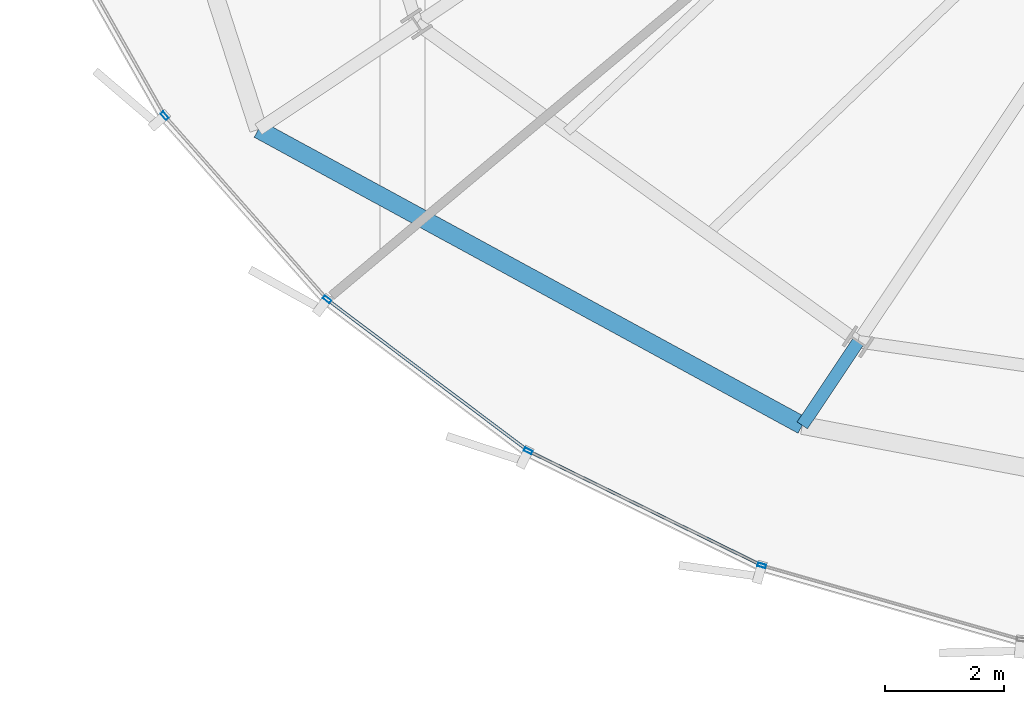
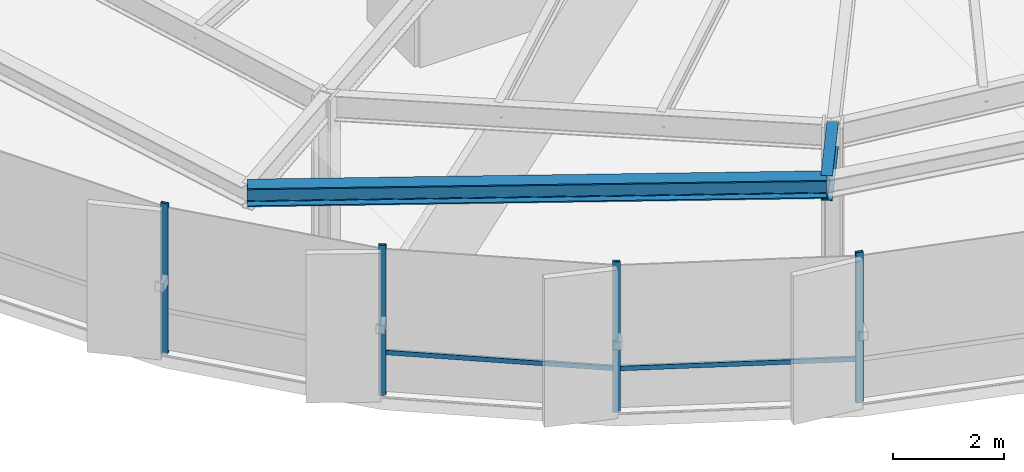
# One storey, part 2 of 34: 6 members, 2 beams, 1 element without a shape of its own.
"""IFC4 building model written with IfcOpenShell, lengths in metres."""

from ifc_helpers import new_model, si_unit, direction, frame, origin, origin_2d, place, context, subcontext, project, spatial, hollow_rectangle, i_section, extrude, source, transform, mapped, material, layer, layer_set, material_profile, profile_set, type_object, element, aggregate, save


model = new_model("IFC4")

# Units and contexts
model_context = context("Model", 3, precision=1e-05, world=origin(), true_north=direction((0.0, 1.0)))
body_context = subcontext(model_context, "Body", "Model", "MODEL_VIEW")
ifc_project = project(units=[si_unit("LENGTHUNIT", "METRE"), si_unit("AREAUNIT", "SQUARE_METRE"), si_unit("VOLUMEUNIT", "CUBIC_METRE"), si_unit("PLANEANGLEUNIT", "RADIAN"), si_unit("MASSUNIT", "GRAM", prefix="KILO"), si_unit("THERMODYNAMICTEMPERATUREUNIT", "KELVIN")], contexts=[model_context])

# Site, building, storey
site_placement = place(None, origin())
site = spatial("IfcSite", under=ifc_project, at=site_placement, CompositionType="ELEMENT")
building_placement = place(site_placement, origin())
building = spatial("IfcBuilding", under=site, at=building_placement, Name="Kethvar Cultural Tower", CompositionType="ELEMENT")
storey_placement = place(building_placement, frame((0.0, 0.0, 128.800048828125)))
storey = spatial("IfcBuildingStorey", under=building, at=storey_placement, Name="L32", CompositionType="ELEMENT", Elevation=128.800048828125)

# Beams
ifc_material_1 = material(Name="Steel S355J2", Category="steel")
ifc_material_profile_1 = material_profile(ifc_material_1, i_section(OverallWidth=0.2099609375, OverallDepth=0.550048828125, WebThickness=0.010986328125, FlangeThickness=0.01708984375, FilletRadius=0.02392578125, at=origin_2d()), Name="Steel S355J2 — IPE550")
ifc_profile_set_1 = profile_set([ifc_material_profile_1], Name="Steel S355J2 — IPE550")
beam_type_1 = type_object("IfcBeamType", Name="BM-IPE550", PredefinedType="BEAM", material=ifc_profile_set_1)
shared_shape_1 = source(origin(), body_context, "Body", "SweptSolid", [
    extrude(i_section(OverallWidth=0.2099609375, OverallDepth=0.550048828125, WebThickness=0.010986328125, FlangeThickness=0.01708984375, FilletRadius=0.02392578125, at=origin_2d()), origin(), (0.0, 0.0, 1.0), 1.694091796875),
])
beam_1_placement = place(storey_placement, frame((34.350830078125, 9.16845703125, 3.02294921875), z_axis=(-0.55553130409, -0.831495622464, 0.0), x_axis=(0.831495622464, -0.55553130409, 0.0)))
element("IfcBeam", 1, at=beam_1_placement, inside=storey, type_object=beam_type_1, Name="L32 Perimeter Cantilever Beam RC-11", PredefinedType="BEAM", context=body_context, shape_type="MappedRepresentation", body=[
    mapped(shared_shape_1, transform((0.0, 0.0, 0.0), scale=1.0)),
])
ifc_material_profile_2 = material_profile(ifc_material_1, i_section(OverallWidth=0.300048828125, OverallDepth=0.39990234375, WebThickness=0.013427734375, FlangeThickness=0.02392578125, FilletRadius=0.027099609375, at=origin_2d()), Name="Steel S355J2 — HEB400")
ifc_profile_set_2 = profile_set([ifc_material_profile_2], Name="Steel S355J2 — HEB400")
beam_type_2 = type_object("IfcBeamType", Name="BM-SP400", PredefinedType="SPANDREL", material=ifc_profile_set_2)
shared_shape_2 = source(origin(), body_context, "Body", "SweptSolid", [
    extrude(i_section(OverallWidth=0.300048828125, OverallDepth=0.39990234375, WebThickness=0.013427734375, FlangeThickness=0.02392578125, FilletRadius=0.027099609375, at=origin_2d()), origin(), (0.0, 0.0, 1.0), 10.4169921875),
])
beam_2_placement = place(storey_placement, frame((24.260009765625, 12.7392578125, 3.097900390625), z_axis=(0.878348394535, -0.478021022359, 0.0), x_axis=(0.478021022359, 0.878348394535, 0.0)))
element("IfcBeam", 2, at=beam_2_placement, inside=storey, type_object=beam_type_2, Name="L32 Perimeter Spandrel Beam SP-10", PredefinedType="SPANDREL", context=body_context, shape_type="MappedRepresentation", body=[
    mapped(shared_shape_2, transform((0.0, 0.0, 0.0), scale=1.0)),
])

# Curtain wall, members
ifc_material_2 = material(Name="Aluminium 6063-T6", Category="aluminium")
ifc_layer = layer(ifc_material_2, 0.179931640625, Name="Aluminium 6063-T6", Category="aluminium")
ifc_layer_set = layer_set([ifc_layer], Name="Aluminium 6063-T6 (180 mm)")
curtain_wall_type = type_object("IfcCurtainWallType", Name="CW-SYS-04-Z34", PredefinedType="NOTDEFINED", material=ifc_layer_set)
curtain_wall_placement = place(storey_placement, origin())
curtain_wall = element("IfcCurtainWall", 3, at=curtain_wall_placement, inside=storey, type_object=curtain_wall_type, Name="L32 Curtain Wall Run 04", PredefinedType="NOTDEFINED")
ifc_material_profile_3 = material_profile(ifc_material_2, hollow_rectangle(XDim=0.06005859375, YDim=0.139892578125, WallThickness=0.0048828125, at=origin_2d()), Name="Aluminium 6063-T6 — RHS140x60x5")
ifc_profile_set_3 = profile_set([ifc_material_profile_3], Name="Aluminium 6063-T6 — RHS140x60x5")
member_type_1 = type_object("IfcMemberType", Name="CW-SYS-04-Z34-MUL", PredefinedType="MULLION", material=ifc_profile_set_3)
shared_shape_3 = source(origin(), body_context, "Body", "SweptSolid", [
    extrude(hollow_rectangle(XDim=0.06005859375, YDim=0.139892578125, WallThickness=0.0048828125, at=origin_2d()), origin(), (0.0, 0.0, 1.0), 3.300048828125),
])
member_1_placement = place(storey_placement, frame((22.6826171875, 12.970458984375, 0.0), z_axis=(0.0, 0.0, 1.0), x_axis=(0.748955720789, 0.662620048216, 0.0)))
member_1 = element("IfcMember", 4, at=member_1_placement, type_object=member_type_1, Name="CW-L32-R04 Mullion 2", PredefinedType="MULLION", context=body_context, shape_type="MappedRepresentation", body=[
    mapped(shared_shape_3, transform((0.0, 0.0, 0.0), scale=1.0)),
])
member_2_placement = place(storey_placement, frame((25.41455078125, 9.879150390625, 0.0), z_axis=(0.0, 0.0, 1.0), x_axis=(0.6013688871, 0.798971502388, 0.0)))
member_2 = element("IfcMember", 5, at=member_2_placement, type_object=member_type_1, Name="CW-L32-R04 Mullion 3", PredefinedType="MULLION", context=body_context, shape_type="MappedRepresentation", body=[
    mapped(shared_shape_3, transform((0.0, 0.0, 0.0), scale=1.0)),
])
member_3_placement = place(storey_placement, frame((28.796875, 7.330810546875, 0.0), z_axis=(0.0, 0.0, 1.0), x_axis=(0.439907822512, 0.898042931988, 0.0)))
member_3 = element("IfcMember", 6, at=member_3_placement, type_object=member_type_1, Name="CW-L32-R04 Mullion 4", PredefinedType="MULLION", context=body_context, shape_type="MappedRepresentation", body=[
    mapped(shared_shape_3, transform((0.0, 0.0, 0.0), scale=1.0)),
])
member_4_placement = place(storey_placement, frame((32.727294921875, 5.40380859375, 0.0), z_axis=(0.0, 0.0, 1.0), x_axis=(0.274680920226, 0.961535434638, 0.0)))
member_4 = element("IfcMember", 7, at=member_4_placement, type_object=member_type_1, Name="CW-L32-R04 Mullion 5", PredefinedType="MULLION", context=body_context, shape_type="MappedRepresentation", body=[
    mapped(shared_shape_3, transform((0.0, 0.0, 0.0), scale=1.0)),
])
ifc_material_profile_4 = material_profile(ifc_material_2, hollow_rectangle(XDim=0.050048828125, YDim=0.10009765625, WallThickness=0.00390625, at=origin_2d()), Name="Aluminium 6063-T6 — RHS100x50x4")
ifc_profile_set_4 = profile_set([ifc_material_profile_4], Name="Aluminium 6063-T6 — RHS100x50x4")
member_type_2 = type_object("IfcMemberType", Name="CW-SYS-04-Z34-TRN", PredefinedType="USERDEFINED", material=ifc_profile_set_4)
shared_shape_4 = source(origin(), body_context, "Body", "SweptSolid", [
    extrude(hollow_rectangle(XDim=0.050048828125, YDim=0.10009765625, WallThickness=0.00390625, at=origin_2d()), origin(), (0.0, 0.0, 1.0), 4.1689453125),
])
member_5_placement = place(storey_placement, frame((25.44921875, 9.853271484375, 0.949951171875), z_axis=(0.79893763701, -0.6014138776, 0.0), x_axis=(0.6014138776, 0.79893763701, 0.0)))
member_5 = element("IfcMember", 8, at=member_5_placement, type_object=member_type_2, Name="CW-L32-R04 Transom 3", ObjectType="TRANSOM", PredefinedType="USERDEFINED", context=body_context, shape_type="MappedRepresentation", body=[
    mapped(shared_shape_4, transform((0.0, 0.0, 0.0), scale=1.0)),
])
shared_shape_5 = source(origin(), body_context, "Body", "SweptSolid", [
    extrude(hollow_rectangle(XDim=0.050048828125, YDim=0.10009765625, WallThickness=0.00390625, at=origin_2d()), origin(), (0.0, 0.0, 1.0), 4.310546875),
])
member_6_placement = place(storey_placement, frame((28.835693359375, 7.31201171875, 0.949951171875), z_axis=(0.898044899814, -0.439903805301, 0.0), x_axis=(0.439903805301, 0.898044899814, 0.0)))
member_6 = element("IfcMember", 9, at=member_6_placement, type_object=member_type_2, Name="CW-L32-R04 Transom 4", ObjectType="TRANSOM", PredefinedType="USERDEFINED", context=body_context, shape_type="MappedRepresentation", body=[
    mapped(shared_shape_5, transform((0.0, 0.0, 0.0), scale=1.0)),
])
aggregate(curtain_wall, [member_1, member_2, member_3, member_4, member_5, member_6])

save(model, "model.ifc")
